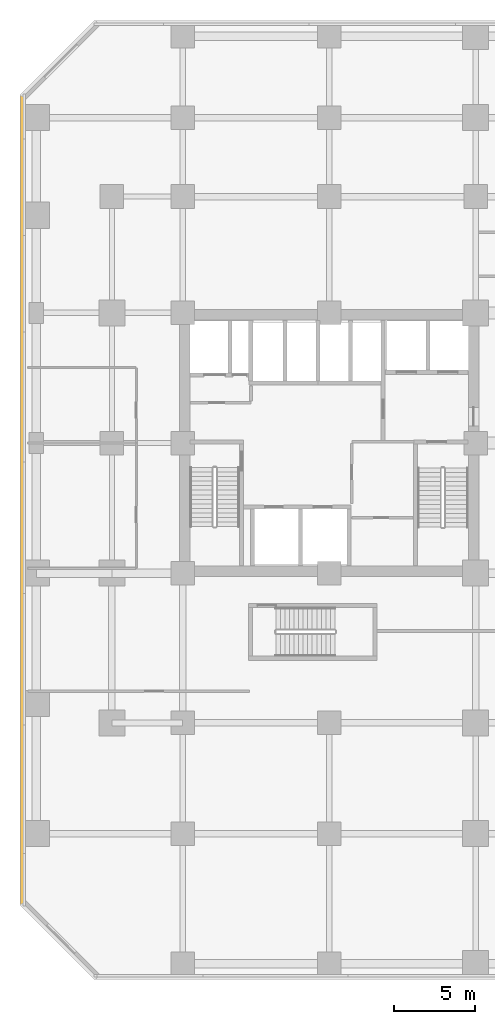
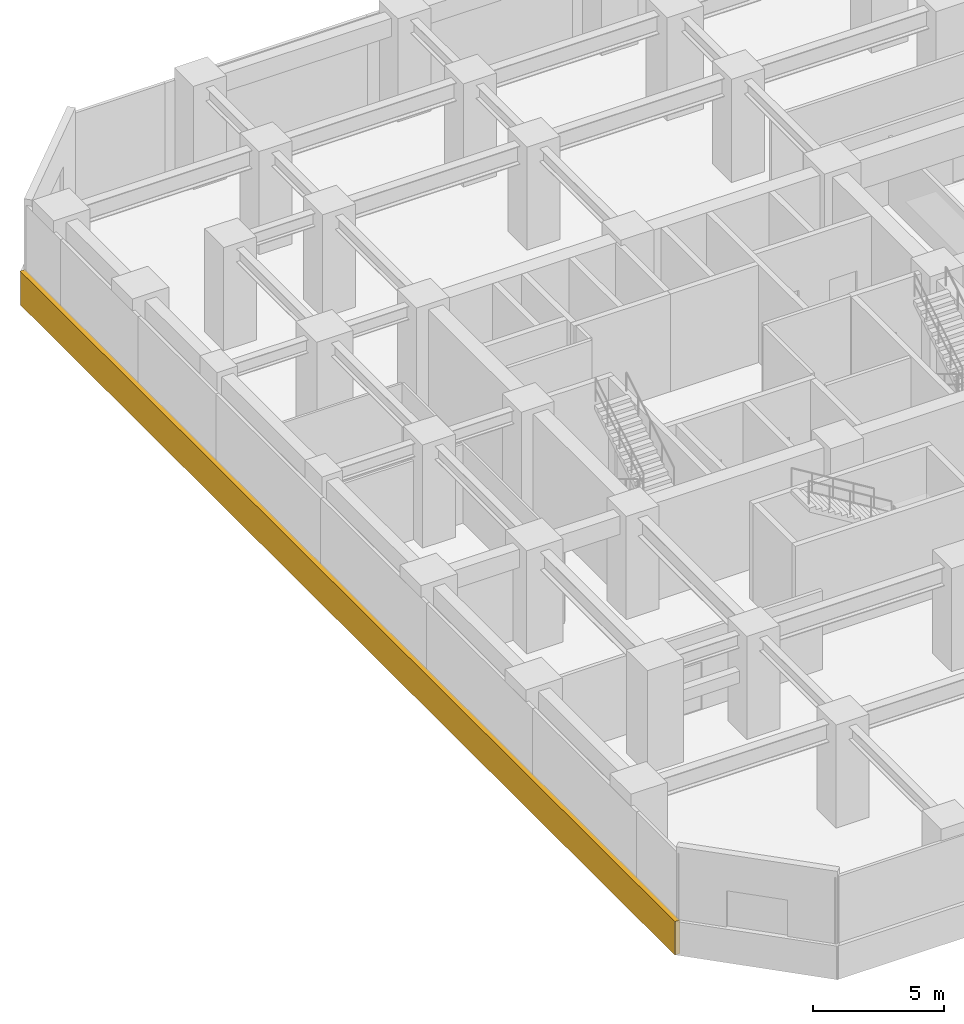
# One storey, part 8 of 12: 1 covering.
"""IFC4 building model written with IfcOpenShell, lengths in metres."""

from ifc_helpers import new_model, si_unit, direction, frame, origin, origin_2d, place, context, subcontext, project, spatial, rectangle, extrude, source, transform, mapped, material, layer, layer_set, type_object, element, save


model = new_model("IFC4")

# Units and contexts
model_context = context("Model", 3, precision=1e-05, world=origin(), true_north=direction((0.0, 1.0)))
body_context = subcontext(model_context, "Body", "Model", "MODEL_VIEW")
ifc_project = project(units=[si_unit("LENGTHUNIT", "METRE"), si_unit("AREAUNIT", "SQUARE_METRE"), si_unit("VOLUMEUNIT", "CUBIC_METRE"), si_unit("PLANEANGLEUNIT", "RADIAN"), si_unit("MASSUNIT", "GRAM", prefix="KILO")], contexts=[model_context])

# Site, building, storey
site_placement = place(None, origin())
site = spatial("IfcSite", under=ifc_project, at=site_placement, CompositionType="ELEMENT")
building_placement = place(site_placement, origin())
building = spatial("IfcBuilding", under=site, at=building_placement, Name="Torre Montelarca", CompositionType="ELEMENT")
storey_placement = place(building_placement, frame((0.0, 0.0, 17.39990234375)))
storey = spatial("IfcBuildingStorey", under=building, at=storey_placement, Name="L04", CompositionType="ELEMENT", Elevation=17.39990234375)

# Covering
ifc_material = material(Name="Bush-hammered warm white precast concrete C45/55", Category="concrete")
ifc_layer = layer(ifc_material, 0.139892578125, Name="Bush-hammered warm white precast concrete C45/55", Category="concrete")
ifc_layer_set = layer_set([ifc_layer], Name="Bush-hammered warm white precast concrete C45/55")
covering_type = type_object("IfcCoveringType", Name="COV-TRAY-CLAD", PredefinedType="CLADDING", material=ifc_layer_set)
shared_shape = source(origin(), body_context, "Body", "SweptSolid", [
    extrude(rectangle(XDim=49.919921875, YDim=0.219970703125, at=origin_2d()), origin(), (0.0, 0.0, 1.0), 1.56005859375),
])
covering_placement = place(storey_placement, frame((-0.8701171875, 28.5, -0.39990234375), z_axis=(0.0, 0.0, 1.0), x_axis=(0.0, -1.0, 0.0)))
element("IfcCovering", 1, at=covering_placement, inside=storey, type_object=covering_type, Name="L04 Architectural White Spandrel Tray Band PODBOT-10", PredefinedType="CLADDING", context=body_context, shape_type="MappedRepresentation", body=[
    mapped(shared_shape, transform((0.0, 0.0, 0.0), scale=1.0)),
])

save(model, "model.ifc")
